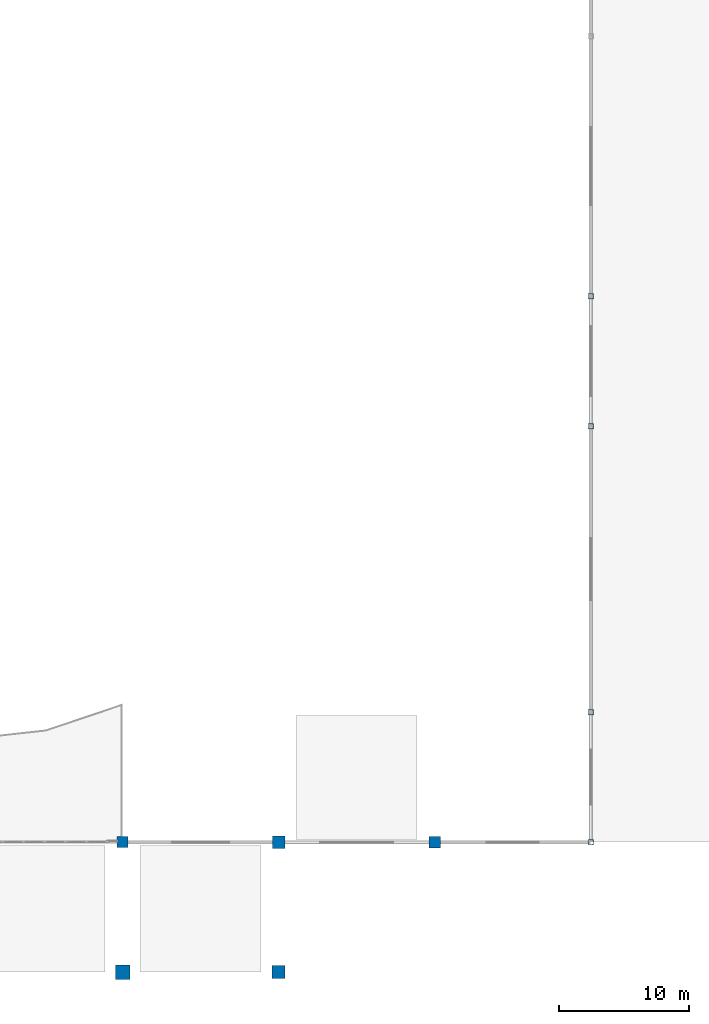
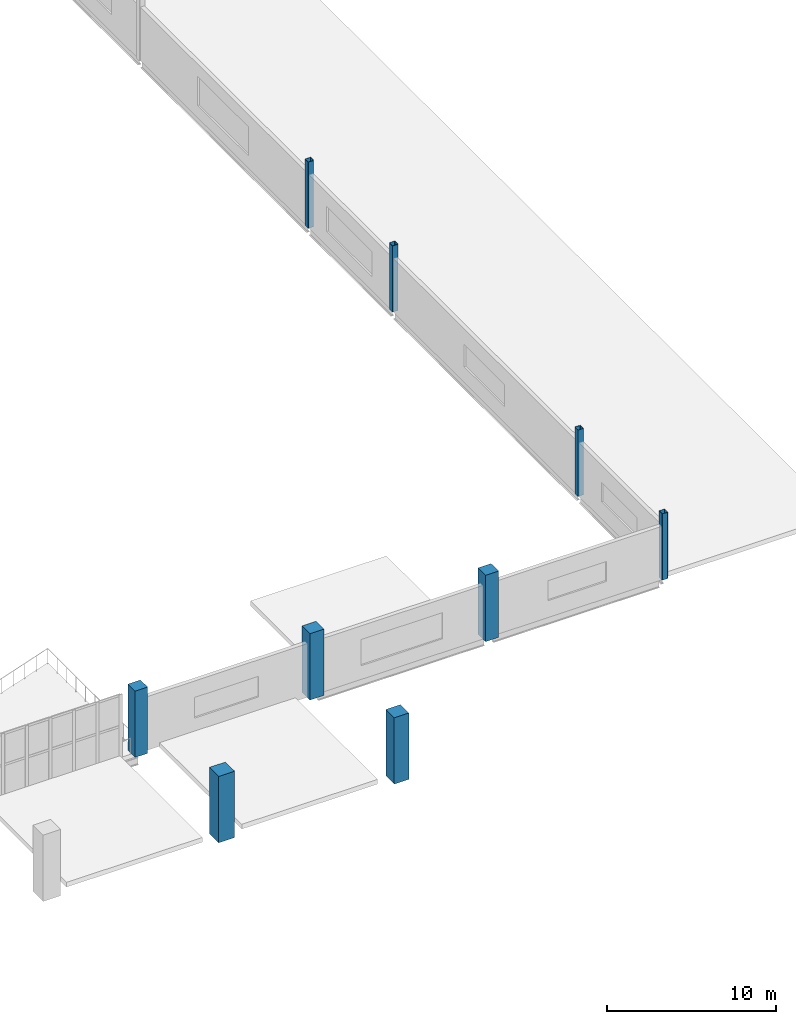
# One storey, part 3 of 49: 9 columns.
"""IFC4 building model written with IfcOpenShell, lengths in metres."""

from ifc_helpers import new_model, si_unit, direction, frame, origin, origin_2d, place, context, subcontext, project, spatial, rectangle, hollow_rectangle, extrude, material, material_profile, profile_set, type_object, element, save


model = new_model("IFC4")

# Units and contexts
model_context = context("Model", 3, precision=1e-05, world=origin(), true_north=direction((0.0, 1.0)))
body_context = subcontext(model_context, "Body", "Model", "MODEL_VIEW")
ifc_project = project(units=[si_unit("LENGTHUNIT", "METRE"), si_unit("AREAUNIT", "SQUARE_METRE"), si_unit("VOLUMEUNIT", "CUBIC_METRE"), si_unit("PLANEANGLEUNIT", "RADIAN"), si_unit("MASSUNIT", "GRAM", prefix="KILO")], contexts=[model_context])

# Site, building, storey
site_placement = place(None, origin())
site = spatial("IfcSite", under=ifc_project, at=site_placement, CompositionType="ELEMENT")
building_placement = place(site_placement, origin())
building = spatial("IfcBuilding", under=site, at=building_placement, Name="Brinegate Civic Arena", CompositionType="ELEMENT")
storey_placement = place(building_placement, frame((0.0, 0.0, 24.60009765625)))
storey = spatial("IfcBuildingStorey", under=building, at=storey_placement, Name="L05", CompositionType="ELEMENT", Elevation=24.60009765625)

# Columns
ifc_material_1 = material(Name="Concrete C50/60", Category="concrete")
ifc_material_profile_1 = material_profile(ifc_material_1, rectangle(XDim=1.10009765625, YDim=1.10009765625, at=origin_2d()), Name="RC1100X1100")
ifc_profile_set_1 = profile_set([ifc_material_profile_1], Name="Concrete C50/60")
column_type_1 = type_object("IfcColumnType", Name="COL-CC02-1100", PredefinedType="COLUMN", material=ifc_profile_set_1)
column_1_placement = place(storey_placement, frame((120.0, 0.0, 0.0), z_axis=(0.0, 0.0, 1.0), x_axis=(1.0, 0.0, 0.0)))
element("IfcColumn", 1, at=column_1_placement, inside=storey, type_object=column_type_1, Name="Column COL-L05-11-A", PredefinedType="COLUMN", context=body_context, shape_type="SweptSolid", body=[
    extrude(rectangle(XDim=1.10009765625, YDim=1.10009765625, at=origin_2d()), origin(), (0.0, 0.0, 1.0), 4.7998046875),
])
ifc_material_profile_2 = material_profile(ifc_material_1, rectangle(XDim=1.0, YDim=1.0, at=origin_2d()), Name="RC1000X1000")
ifc_profile_set_2 = profile_set([ifc_material_profile_2], Name="Concrete C50/60")
column_type_2 = type_object("IfcColumnType", Name="COL-CC03-1000", PredefinedType="COLUMN", material=ifc_profile_set_2)
column_2_placement = place(storey_placement, frame((132.0, 0.0, 0.0), z_axis=(0.0, 0.0, 1.0), x_axis=(1.0, 0.0, 0.0)))
element("IfcColumn", 2, at=column_2_placement, inside=storey, type_object=column_type_2, Name="Column COL-L05-12-A", PredefinedType="COLUMN", context=body_context, shape_type="SweptSolid", body=[
    extrude(rectangle(XDim=1.0, YDim=1.0, at=origin_2d()), origin(), (0.0, 0.0, 1.0), 4.7998046875),
])
ifc_material_profile_3 = material_profile(ifc_material_1, rectangle(XDim=0.949951171875, YDim=0.949951171875, at=origin_2d()), Name="RC950X950")
ifc_profile_set_3 = profile_set([ifc_material_profile_3], Name="Concrete C50/60")
column_type_3 = type_object("IfcColumnType", Name="COL-CC04-950", PredefinedType="COLUMN", material=ifc_profile_set_3)
column_3_placement = place(storey_placement, frame((132.0, 10.0, 0.0), z_axis=(0.0, 0.0, 1.0), x_axis=(1.0, 0.0, 0.0)))
element("IfcColumn", 3, at=column_3_placement, inside=storey, type_object=column_type_3, Name="Column COL-L05-12-B", PredefinedType="COLUMN", context=body_context, shape_type="SweptSolid", body=[
    extrude(rectangle(XDim=0.949951171875, YDim=0.949951171875, at=origin_2d()), origin(), (0.0, 0.0, 1.0), 4.7998046875),
])
ifc_material_profile_4 = material_profile(ifc_material_1, rectangle(XDim=0.89990234375, YDim=0.89990234375, at=origin_2d()), Name="RC900X900")
ifc_profile_set_4 = profile_set([ifc_material_profile_4], Name="Concrete C50/60")
column_type_4 = type_object("IfcColumnType", Name="COL-CC05-900", PredefinedType="COLUMN", material=ifc_profile_set_4)
column_4_placement = place(storey_placement, frame((144.0, 10.0, 0.0), z_axis=(0.0, 0.0, 1.0), x_axis=(1.0, 0.0, 0.0)))
element("IfcColumn", 4, at=column_4_placement, inside=storey, type_object=column_type_4, Name="Column COL-L05-13-B", PredefinedType="COLUMN", context=body_context, shape_type="SweptSolid", body=[
    extrude(rectangle(XDim=0.89990234375, YDim=0.89990234375, at=origin_2d()), origin(), (0.0, 0.0, 1.0), 4.7998046875),
])
ifc_material_profile_5 = material_profile(ifc_material_1, rectangle(XDim=0.85009765625, YDim=0.85009765625, at=origin_2d()), Name="RC850X850")
ifc_profile_set_5 = profile_set([ifc_material_profile_5], Name="Concrete C50/60")
column_type_5 = type_object("IfcColumnType", Name="COL-CC06-850", PredefinedType="COLUMN", material=ifc_profile_set_5)
column_5_placement = place(storey_placement, frame((120.0, 10.0, 0.0), z_axis=(0.0, 0.0, 1.0), x_axis=(1.0, 0.0, 0.0)))
element("IfcColumn", 5, at=column_5_placement, inside=storey, type_object=column_type_5, Name="Column COL-L05-11-B", PredefinedType="COLUMN", context=body_context, shape_type="SweptSolid", body=[
    extrude(rectangle(XDim=0.85009765625, YDim=0.85009765625, at=origin_2d()), origin(), (0.0, 0.0, 1.0), 4.7998046875),
])
ifc_material_2 = material(Name="Steel S355", Category="steel")
ifc_material_profile_6 = material_profile(ifc_material_2, hollow_rectangle(XDim=0.39990234375, YDim=0.39990234375, WallThickness=0.02001953125, InnerFilletRadius=0.02001953125, OuterFilletRadius=0.0400390625, at=origin_2d()), Name="SHS400X20")
ifc_profile_set_6 = profile_set([ifc_material_profile_6], Name="Steel S355")
column_type_6 = type_object("IfcColumnType", Name="COL-SC03-SHS400", PredefinedType="COLUMN", material=ifc_profile_set_6)
for number, where, z_axis, x_axis, name in (
    (6, (156.0, 10.0, 0.0), (0.0, 0.0, 1.0), (1.0, 0.0, 0.0), "Space Frame East Drum Column E-01-L05"),
    (7, (156.0, 20.0, 0.0), (0.0, 0.0, 1.0), (1.0, 0.0, 0.0), "Space Frame East Drum Column E-02-L05"),
    (8, (156.0, 42.0, 0.0), (0.0, 0.0, 1.0), (1.0, 0.0, 0.0), "Space Frame East Drum Column E-03-L05"),
    (9, (156.0, 52.0, 0.0), (0.0, 0.0, 1.0), (1.0, 0.0, 0.0), "Space Frame East Drum Column E-04-L05"),
):
    element("IfcColumn", number, at=place(storey_placement, frame(where, z_axis=z_axis, x_axis=x_axis)), inside=storey, type_object=column_type_6, Name=name, PredefinedType="COLUMN", context=body_context, shape_type="SweptSolid", body=[
        extrude(hollow_rectangle(XDim=0.39990234375, YDim=0.39990234375, WallThickness=0.02001953125, InnerFilletRadius=0.02001953125, OuterFilletRadius=0.0400390625, at=origin_2d()), origin(), (0.0, 0.0, 1.0), 4.7998046875),
    ])

save(model, "model.ifc")
